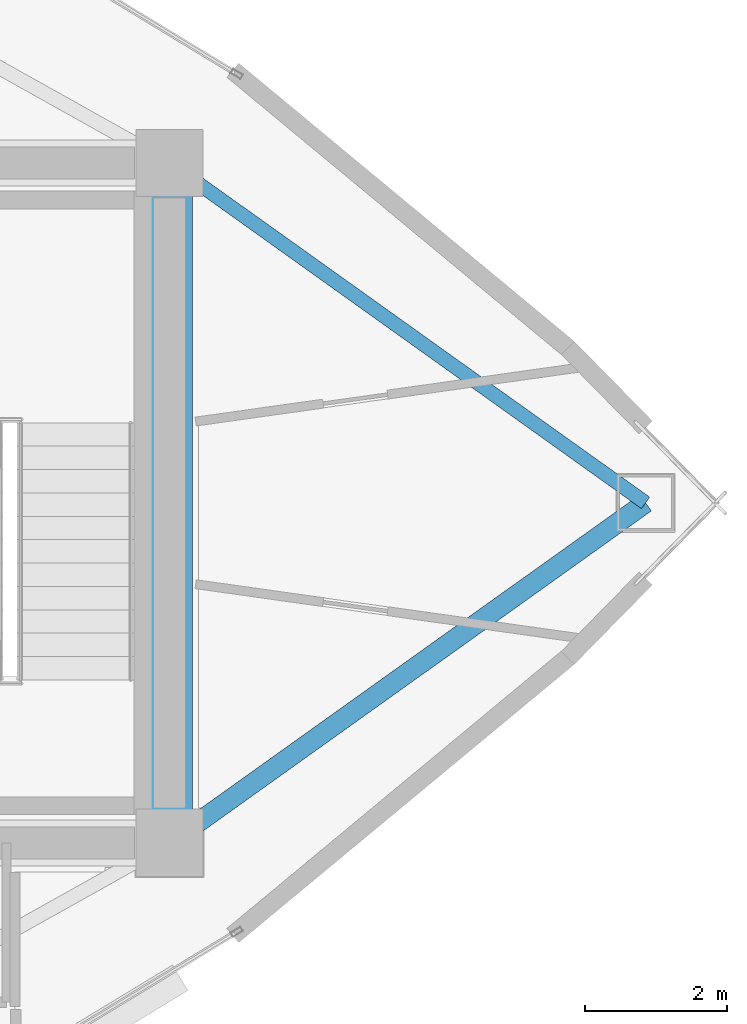
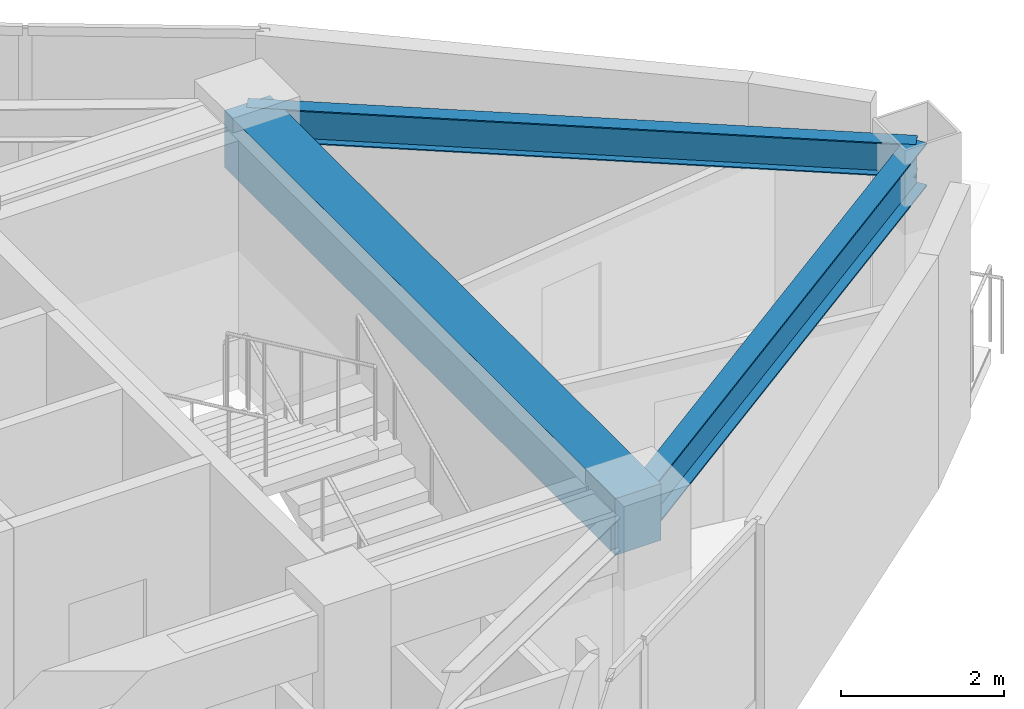
# One storey, part 6 of 15: 3 beams.
"""IFC4 building model written with IfcOpenShell, lengths in metres."""

from ifc_helpers import new_model, si_unit, direction, frame, origin, origin_2d, place, context, subcontext, project, spatial, rectangle, i_section, extrude, material, material_profile, profile_set, type_object, element, save


model = new_model("IFC4")

# Units and contexts
model_context = context("Model", 3, precision=1e-05, world=origin(), true_north=direction((0.0, 1.0)))
body_context = subcontext(model_context, "Body", "Model", "MODEL_VIEW")
ifc_project = project(units=[si_unit("LENGTHUNIT", "METRE"), si_unit("AREAUNIT", "SQUARE_METRE"), si_unit("VOLUMEUNIT", "CUBIC_METRE"), si_unit("PLANEANGLEUNIT", "RADIAN"), si_unit("MASSUNIT", "GRAM", prefix="KILO")], contexts=[model_context])

# Site, building, storey
site_placement = place(None, origin())
site = spatial("IfcSite", under=ifc_project, at=site_placement, CompositionType="ELEMENT")
building_placement = place(site_placement, origin())
building = spatial("IfcBuilding", under=site, at=building_placement, Name="Menara Vayukalpa", CompositionType="ELEMENT")
storey_placement = place(building_placement, frame((0.0, 0.0, 284.340087890625)))
storey = spatial("IfcBuildingStorey", under=building, at=storey_placement, Name="L72", CompositionType="ELEMENT", Elevation=284.340087890625)

# Beams
ifc_material_1 = material(Name="Concrete C60/75", Category="concrete")
ifc_material_profile_1 = material_profile(ifc_material_1, rectangle(XDim=0.64990234375, YDim=0.85009765625, at=origin_2d()), Name="RC 650x850")
ifc_profile_set_1 = profile_set([ifc_material_profile_1], Name="Concrete C60/75")
beam_type_1 = type_object("IfcBeamType", Name="BM-CB1", PredefinedType="BEAM", material=ifc_profile_set_1)
beam_1_placement = place(storey_placement, frame((33.39990234375, 17.199951171875, 3.074951171875), z_axis=(0.0, 1.0, 0.0), x_axis=(-1.0, 0.0, 0.0)))
element("IfcBeam", 1, at=beam_1_placement, inside=storey, type_object=beam_type_1, Name="L72 Core Tie Beam CBR8", PredefinedType="BEAM", context=body_context, shape_type="SweptSolid", body=[
    extrude(rectangle(XDim=0.64990234375, YDim=0.85009765625, at=origin_2d()), origin(), (0.0, 0.0, 1.0), 9.60009765625),
])
ifc_material_2 = material(Name="Steel S355", Category="steel")
ifc_material_profile_2 = material_profile(ifc_material_2, i_section(OverallWidth=0.280029296875, OverallDepth=0.64990234375, WebThickness=0.012939453125, FlangeThickness=0.02197265625, at=origin_2d()), Name="WF 650x280x13x22")
ifc_profile_set_2 = profile_set([ifc_material_profile_2], Name="Steel S355")
beam_type_2 = type_object("IfcBeamType", Name="BM-PG6", PredefinedType="BEAM", material=ifc_profile_set_2)
beam_2_placement = place(storey_placement, frame((33.603515625, 17.34521484375, 3.1748046875), z_axis=(0.813801429135, 0.581143040859, 0.0), x_axis=(-0.581143040859, 0.813801429135, 0.0)))
element("IfcBeam", 2, at=beam_2_placement, inside=storey, type_object=beam_type_2, Name="L72 Primary Radial Girder RG01", PredefinedType="BEAM", context=body_context, shape_type="SweptSolid", body=[
    extrude(i_section(OverallWidth=0.280029296875, OverallDepth=0.64990234375, WebThickness=0.012939453125, FlangeThickness=0.02197265625, at=origin_2d()), origin(), (0.0, 0.0, 1.0), 8.009765625),
])
ifc_material_3 = material(Name="Steel S355", Category="steel")
ifc_material_profile_3 = material_profile(ifc_material_3, i_section(OverallWidth=0.199951171875, OverallDepth=0.5, WebThickness=0.010009765625, FlangeThickness=0.01611328125, at=origin_2d()), Name="WF 500x200x10x16")
ifc_profile_set_3 = profile_set([ifc_material_profile_3], Name="Steel S355")
beam_type_3 = type_object("IfcBeamType", Name="BM-SP3", PredefinedType="SPANDREL", material=ifc_profile_set_3)
beam_3_placement = place(storey_placement, frame((40.121826171875, 22.0, 3.25), z_axis=(-0.813809355401, 0.581131941181, 0.0), x_axis=(-0.581131941181, -0.813809355401, 0.0)))
element("IfcBeam", 3, at=beam_3_placement, inside=storey, type_object=beam_type_3, Name="L72 Perimeter Spandrel Beam SP01", PredefinedType="SPANDREL", context=body_context, shape_type="SweptSolid", body=[
    extrude(i_section(OverallWidth=0.199951171875, OverallDepth=0.5, WebThickness=0.010009765625, FlangeThickness=0.01611328125, at=origin_2d()), origin(), (0.0, 0.0, 1.0), 8.259765625),
])

save(model, "model.ifc")
